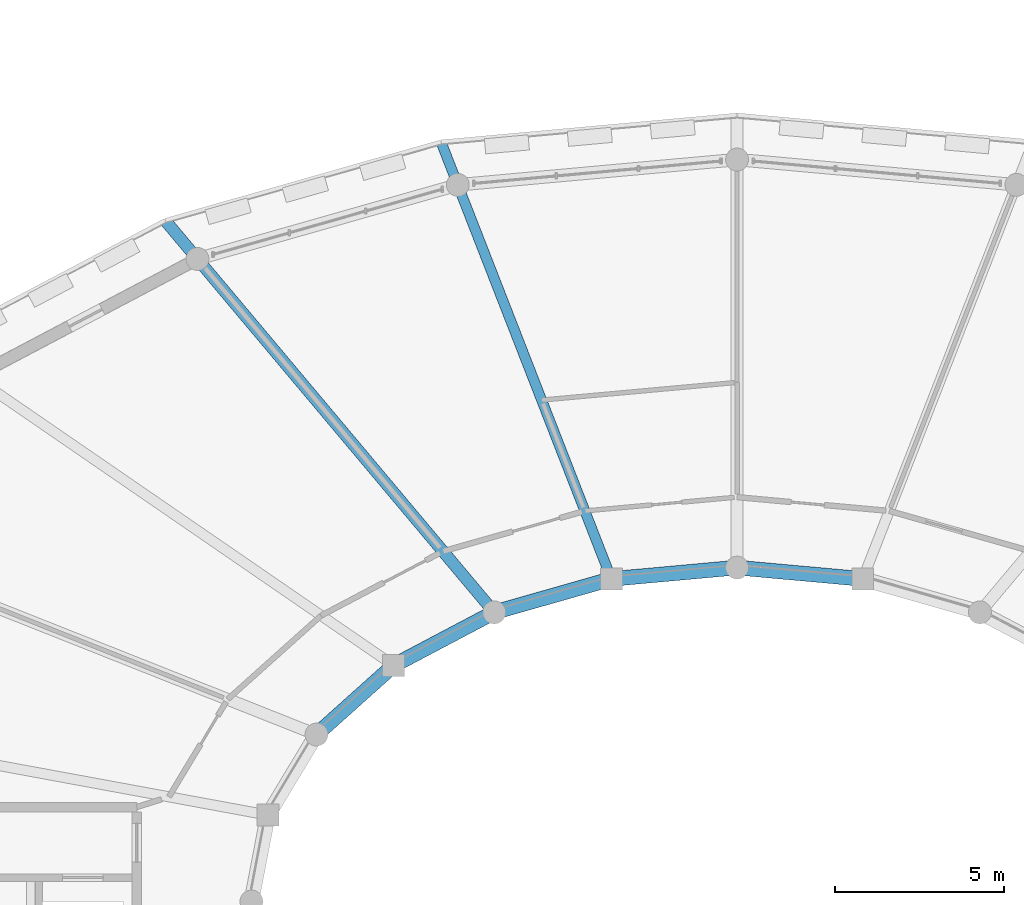
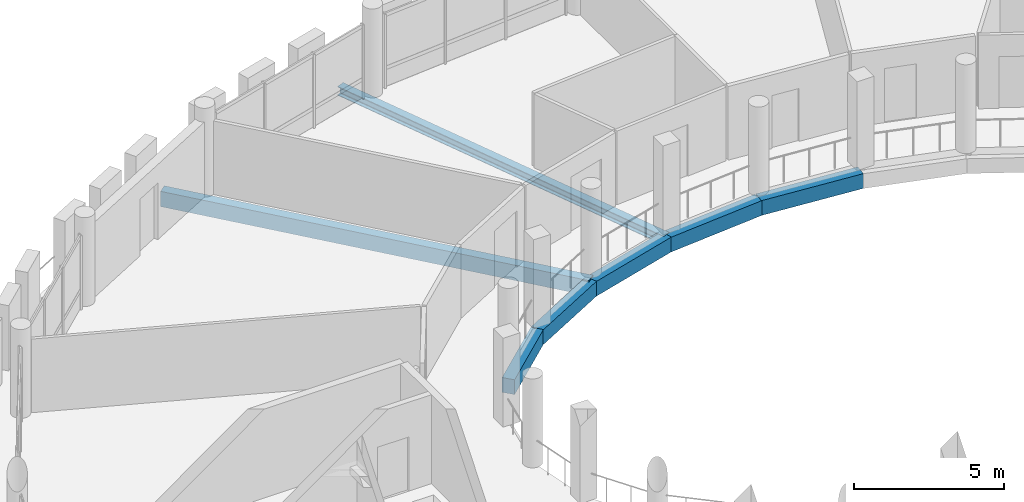
# One storey, part 67 of 128: 7 beams.
"""IFC4 building model written with IfcOpenShell, lengths in metres."""

from ifc_helpers import new_model, si_unit, direction, frame, origin, origin_2d, place, context, subcontext, project, spatial, rectangle, i_section, extrude, material, material_profile, profile_set, type_object, element, save


model = new_model("IFC4")

# Units and contexts
model_context = context("Model", 3, precision=1e-05, world=origin(), true_north=direction((0.0, 1.0)))
body_context = subcontext(model_context, "Body", "Model", "MODEL_VIEW")
ifc_project = project(units=[si_unit("LENGTHUNIT", "METRE"), si_unit("AREAUNIT", "SQUARE_METRE"), si_unit("VOLUMEUNIT", "CUBIC_METRE"), si_unit("PLANEANGLEUNIT", "RADIAN"), si_unit("MASSUNIT", "GRAM", prefix="KILO")], contexts=[model_context])

# Site, building, storey
site_placement = place(None, origin())
site = spatial("IfcSite", under=ifc_project, at=site_placement, CompositionType="ELEMENT")
building_placement = place(site_placement, origin())
building = spatial("IfcBuilding", under=site, at=building_placement, Name="Zornivar Specialist Clinic", CompositionType="ELEMENT")
storey_placement = place(building_placement, frame((0.0, 0.0, 4.5)))
storey = spatial("IfcBuildingStorey", under=building, at=storey_placement, Name="L01", CompositionType="ELEMENT", Elevation=4.5)

# Beams
ifc_material_1 = material(Name="Concrete C30/37", Category="concrete")
ifc_material_profile_1 = material_profile(ifc_material_1, rectangle(XDim=0.43994140625, YDim=0.60009765625, at=origin_2d()), Name="RC 440x600")
ifc_profile_set_1 = profile_set([ifc_material_profile_1], Name="Concrete C30/37")
beam_type_1 = type_object("IfcBeamType", Name="BM-RC-440x600", PredefinedType="BEAM", material=ifc_profile_set_1)
beam_1_placement = place(storey_placement, frame((97.326904296875, 67.1630859375, -0.590087890625), z_axis=(-0.99593853732, 0.090035714478, 0.0), x_axis=(-0.090035714478, -0.99593853732, 0.0)))
element("IfcBeam", 1, at=beam_1_placement, inside=storey, type_object=beam_type_1, Name="bm:V1:L01:inring:05", PredefinedType="BEAM", context=body_context, shape_type="SweptSolid", body=[
    extrude(rectangle(XDim=0.43994140625, YDim=0.60009765625, at=origin_2d()), origin(), (0.0, 0.0, 1.0), 3.741943359375),
])
beam_2_placement = place(storey_placement, frame((93.60009765625, 67.5, -0.590087890625), z_axis=(-0.995939066158, -0.09002986449, 0.0), x_axis=(0.09002986449, -0.995939066158, 0.0)))
element("IfcBeam", 2, at=beam_2_placement, inside=storey, type_object=beam_type_1, Name="bm:V1:L01:inring:06", PredefinedType="BEAM", context=body_context, shape_type="SweptSolid", body=[
    extrude(rectangle(XDim=0.43994140625, YDim=0.60009765625, at=origin_2d()), origin(), (0.0, 0.0, 1.0), 3.7421875),
])
beam_3_placement = place(storey_placement, frame((89.873046875, 67.1630859375, -0.590087890625), z_axis=(-0.961765935349, -0.2738727544, 0.0), x_axis=(0.2738727544, -0.961765935349, 0.0)))
element("IfcBeam", 3, at=beam_3_placement, inside=storey, type_object=beam_type_1, Name="bm:V1:L01:inring:07", PredefinedType="BEAM", context=body_context, shape_type="SweptSolid", body=[
    extrude(rectangle(XDim=0.43994140625, YDim=0.60009765625, at=origin_2d()), origin(), (0.0, 0.0, 1.0), 3.611328125),
])
beam_4_placement = place(storey_placement, frame((86.39990234375, 66.174072265625, -0.590087890625), z_axis=(-0.884363165653, -0.466799519319, 0.0), x_axis=(0.466799519319, -0.884363165653, 0.0)))
element("IfcBeam", 4, at=beam_4_placement, inside=storey, type_object=beam_type_1, Name="bm:V1:L01:inring:08", PredefinedType="BEAM", context=body_context, shape_type="SweptSolid", body=[
    extrude(rectangle(XDim=0.43994140625, YDim=0.60009765625, at=origin_2d()), origin(), (0.0, 0.0, 1.0), 3.371826171875),
])
beam_5_placement = place(storey_placement, frame((83.41796875, 64.60009765625, -0.590087890625), z_axis=(-0.744927462836, -0.66714546773, 0.0), x_axis=(0.66714546773, -0.744927462836, 0.0)))
element("IfcBeam", 5, at=beam_5_placement, inside=storey, type_object=beam_type_1, Name="bm:V1:L01:inring:09", PredefinedType="BEAM", context=body_context, shape_type="SweptSolid", body=[
    extrude(rectangle(XDim=0.43994140625, YDim=0.60009765625, at=origin_2d()), origin(), (0.0, 0.0, 1.0), 3.07275390625),
])
ifc_material_2 = material(Name="Concrete C30/37", Category="concrete")
ifc_material_profile_2 = material_profile(ifc_material_2, rectangle(XDim=0.35009765625, YDim=0.6201171875, at=origin_2d()), Name="RC 350x620")
ifc_profile_set_2 = profile_set([ifc_material_profile_2], Name="Concrete C30/37")
beam_type_2 = type_object("IfcBeamType", Name="BM-RC-CANT-350x620", PredefinedType="BEAM", material=ifc_profile_set_2)
beam_6_placement = place(storey_placement, frame((86.39990234375, 66.174072265625, -0.550048828125), z_axis=(-0.643102291661, 0.765780283411, 0.0), x_axis=(-0.765780283411, -0.643102291661, 0.0)))
element("IfcBeam", 6, at=beam_6_placement, inside=storey, type_object=beam_type_2, Name="bm:V1:L01:radcant:08", PredefinedType="BEAM", context=body_context, shape_type="SweptSolid", body=[
    extrude(rectangle(XDim=0.35009765625, YDim=0.6201171875, at=origin_2d()), origin(), (0.0, 0.0, 1.0), 15.176513671875),
])
ifc_material_3 = material(Name="Steel S355J2", Category="steel")
ifc_material_profile_3 = material_profile(ifc_material_3, i_section(OverallWidth=0.300048828125, OverallDepth=0.360107421875, WebThickness=0.012451171875, FlangeThickness=0.0224609375, FilletRadius=0.027099609375, at=origin_2d()), Name="HEB 360")
ifc_profile_set_3 = profile_set([ifc_material_profile_3], Name="Steel S355J2")
beam_type_3 = type_object("IfcBeamType", Name="BM-STL-HEB360", PredefinedType="BEAM", material=ifc_profile_set_3)
beam_7_placement = place(storey_placement, frame((89.873046875, 67.1630859375, -0.469970703125), z_axis=(-0.363149073781, 0.931731050364, 0.0), x_axis=(-0.931731050364, -0.363149073781, 0.0)))
element("IfcBeam", 7, at=beam_7_placement, inside=storey, type_object=beam_type_3, Name="bm:V1:L01:radmid:07", PredefinedType="BEAM", context=body_context, shape_type="SweptSolid", body=[
    extrude(i_section(OverallWidth=0.300048828125, OverallDepth=0.360107421875, WebThickness=0.012451171875, FlangeThickness=0.0224609375, FilletRadius=0.027099609375, at=origin_2d()), origin(), (0.0, 0.0, 1.0), 13.91162109375),
])

save(model, "model.ifc")
